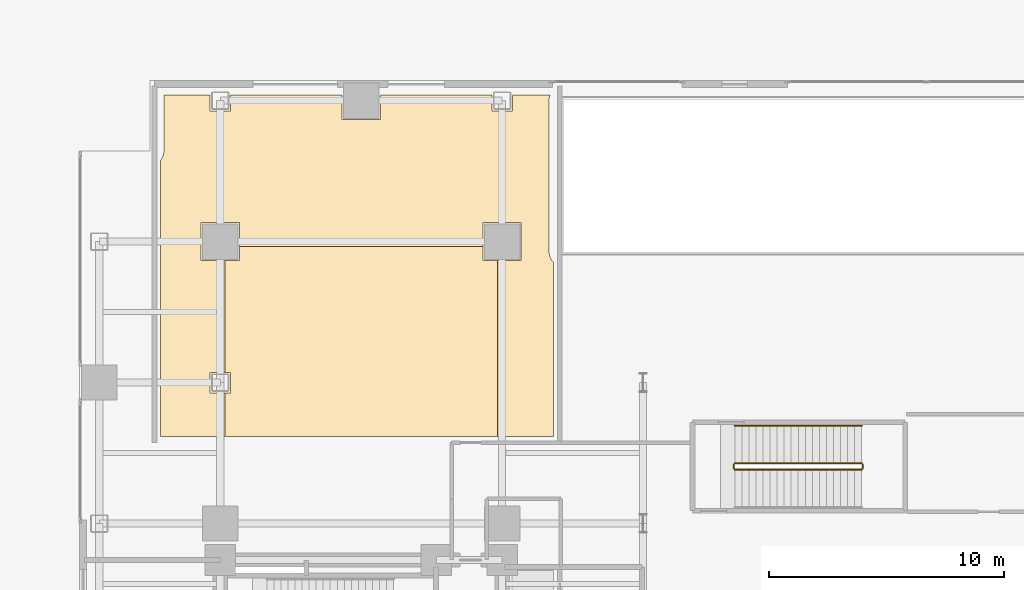
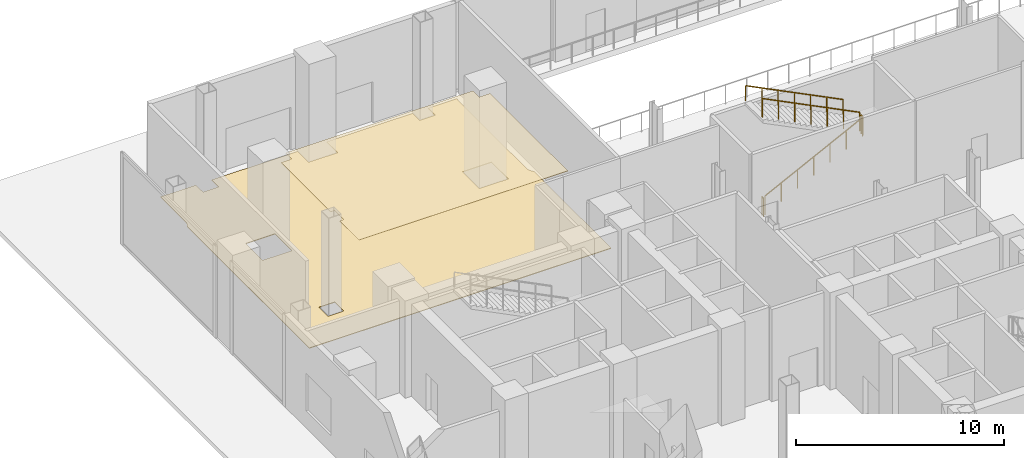
# One storey, part 25 of 27: 5 railings, 2 coverings.
"""IFC4 building model written with IfcOpenShell, lengths in metres."""

from ifc_helpers import new_model, si_unit, direction, frame, origin, origin_2d, place, context, subcontext, project, spatial, polyline, rectangle, outline, extrude, material, layer, layer_set, type_object, element, save


model = new_model("IFC4")

# Units and contexts
model_context = context("Model", 3, precision=1e-05, world=origin(), true_north=direction((0.0, 1.0)))
body_context = subcontext(model_context, "Body", "Model", "MODEL_VIEW")
ifc_project = project(units=[si_unit("LENGTHUNIT", "METRE"), si_unit("AREAUNIT", "SQUARE_METRE"), si_unit("VOLUMEUNIT", "CUBIC_METRE"), si_unit("PLANEANGLEUNIT", "RADIAN"), si_unit("MASSUNIT", "GRAM", prefix="KILO"), si_unit("THERMODYNAMICTEMPERATUREUNIT", "KELVIN"), si_unit("POWERUNIT", "WATT")], contexts=[model_context])

# Site, building, storey
site_placement = place(None, origin())
site = spatial("IfcSite", under=ifc_project, at=site_placement, CompositionType="ELEMENT")
building_placement = place(site_placement, origin())
building = spatial("IfcBuilding", under=site, at=building_placement, Name="Svarakhadi Broadcast Tower", CompositionType="ELEMENT")
storey_placement = place(building_placement, origin())
storey = spatial("IfcBuildingStorey", under=building, at=storey_placement, Name="L00", CompositionType="ELEMENT", Elevation=0.0)

# Coverings
ifc_material_1 = material(Name="Micro-Perforated Mineral Fibre Acoustic Ceiling Tile", Category="mineral_fibre")
ifc_layer_1 = layer(ifc_material_1, 0.02490234375)
ifc_layer_set_1 = layer_set([ifc_layer_1], Name="Micro-Perforated Mineral Fibre Acoustic Ceiling Tile")
covering_type_1 = type_object("IfcCoveringType", Name="Cov_Ceiling_Tile", PredefinedType="CEILING", material=ifc_layer_set_1)
covering_1_placement = place(storey_placement, frame((0.0, 0.0, 5.375)))
element("IfcCovering", 1, at=covering_1_placement, inside=storey, type_object=covering_type_1, Name="L00 Broadcast OB-Van Loading Dock and Airlock Acoustic Ceiling", PredefinedType="CEILING", context=body_context, shape_type="SweptSolid", body=[
    extrude(outline(polyline([(6.2099609375, 32.860107421875), (6.2099609375, 34.715087890625), (6.43505859375, 34.715087890625), (6.43505859375, 35.5849609375), (6.2099609375, 35.5849609375), (6.2099609375, 40.340087890625), (6.81005859375, 40.340087890625), (6.81005859375, 40.93994140625), (17.18994140625, 40.93994140625), (17.18994140625, 40.340087890625), (17.7900390625, 40.340087890625), (17.7900390625, 32.860107421875), (6.2099609375, 32.860107421875)])), origin(), (0.0, 0.0, 1.0), 0.02490234375),
])
ifc_material_2 = material(Name="Honed Konkan Basalt Stone Tile Flooring", Category="masonry")
ifc_layer_2 = layer(ifc_material_2, 0.034912109375)
ifc_layer_set_2 = layer_set([ifc_layer_2], Name="Honed Konkan Basalt Stone Tile Flooring")
covering_type_2 = type_object("IfcCoveringType", Name="Cov_Floor_Basalt", PredefinedType="FLOORING", material=ifc_layer_set_2)
covering_2_placement = place(storey_placement, origin())
element("IfcCovering", 2, at=covering_2_placement, inside=storey, type_object=covering_type_2, Name="L00 Broadcast OB-Van Loading Dock and Airlock Floor Finish", PredefinedType="FLOORING", context=body_context, shape_type="SweptSolid", body=[
    extrude(outline(polyline([(3.4599609375, 44.614990234375), (3.470947265625, 44.6279296875), (3.4951171875, 44.660888671875), (3.5029296875, 44.674072265625), (3.52392578125, 44.708984375), (3.531982421875, 44.722900390625), (3.550048828125, 44.760009765625), (3.556884765625, 44.778076171875), (3.571044921875, 44.81689453125), (3.576904296875, 44.833984375), (3.5869140625, 44.8740234375), (3.590087890625, 44.89208984375), (3.595947265625, 44.93310546875), (3.597900390625, 44.949951171875), (3.60009765625, 44.990966796875), (3.60009765625, 45.0), (3.60009765625, 47.389892578125), (5.56494140625, 47.389892578125), (5.56494140625, 46.715087890625), (6.43505859375, 46.715087890625), (6.43505859375, 47.389892578125), (11.18994140625, 47.389892578125), (11.18994140625, 46.340087890625), (12.81005859375, 46.340087890625), (12.81005859375, 47.389892578125), (17.56494140625, 47.389892578125), (17.56494140625, 46.715087890625), (18.43505859375, 46.715087890625), (18.43505859375, 47.389892578125), (20.031005859375, 47.389892578125), (20.029052734375, 47.383056640625), (20.02294921875, 47.365966796875), (20.012939453125, 47.325927734375), (20.010009765625, 47.30810546875), (20.00390625, 47.26708984375), (20.001953125, 47.25), (20.0, 47.208984375), (20.0, 47.199951171875), (20.0, 40.699951171875), (20.0, 40.69091796875), (20.001953125, 40.64990234375), (20.00390625, 40.633056640625), (20.010009765625, 40.592041015625), (20.012939453125, 40.573974609375), (20.02294921875, 40.533935546875), (20.029052734375, 40.51708984375), (20.04296875, 40.47802734375), (20.050048828125, 40.4599609375), (20.068115234375, 40.423095703125), (20.075927734375, 40.408935546875), (20.096923828125, 40.3740234375), (20.10498046875, 40.361083984375), (20.12890625, 40.327880859375), (20.14111328125, 40.31298828125), (20.1689453125, 40.281982421875), (20.181884765625, 40.26904296875), (20.18994140625, 40.262939453125), (20.18994140625, 32.860107421875), (3.4599609375, 32.860107421875), (3.4599609375, 44.614990234375)]), holes=[polyline([(5.56494140625, 34.715087890625), (6.43505859375, 34.715087890625), (6.43505859375, 35.5849609375), (5.56494140625, 35.5849609375), (5.56494140625, 34.715087890625)]), polyline([(5.18994140625, 40.340087890625), (6.81005859375, 40.340087890625), (6.81005859375, 41.9599609375), (5.18994140625, 41.9599609375), (5.18994140625, 40.340087890625)]), polyline([(17.18994140625, 40.340087890625), (18.81005859375, 40.340087890625), (18.81005859375, 41.9599609375), (17.18994140625, 41.9599609375), (17.18994140625, 40.340087890625)])]), origin(), (0.0, 0.0, 1.0), 0.034912109375),
])

# Railings
ifc_material_3 = material(Name="Anodised Bronze Aluminium AA 6063-T6", Category="aluminium")
railing_type_1 = type_object("IfcRailingType", Name="Guard_Stair_GR01", PredefinedType="GUARDRAIL", material=ifc_material_3)
railing_1_placement = place(storey_placement, frame((27.89990234375, 31.449951171875, 0.14990234375)))
element("IfcRailing", 3, at=railing_1_placement, inside=storey, type_object=railing_type_1, Name="L00 ST-03 stair guard 1", PredefinedType="GUARDRAIL", context=body_context, shape_type="SweptSolid", body=[
    extrude(rectangle(XDim=0.048095703125, YDim=0.048095703125, at=origin_2d()), frame((0.0, 0.0, 1.09619140625), z_axis=(0.894419103516, 0.0, 0.447229770102), x_axis=(0.0, 1.0, 0.0)), (0.0, 0.0, 1.0), 6.03759765625),
    extrude(rectangle(XDim=0.0419921875, YDim=0.0419921875, at=origin_2d()), origin(), (0.0, 0.0, 1.0), 1.072021484375),
    extrude(rectangle(XDim=0.0419921875, YDim=0.0419921875, at=origin_2d()), frame((0.89990234375, 0.0, 0.449951171875)), (0.0, 0.0, 1.0), 1.072021484375),
    extrude(rectangle(XDim=0.0419921875, YDim=0.0419921875, at=origin_2d()), frame((1.800048828125, 0.0, 0.900146484375)), (0.0, 0.0, 1.0), 1.072021484375),
    extrude(rectangle(XDim=0.0419921875, YDim=0.0419921875, at=origin_2d()), frame((2.7001953125, 0.0, 1.35009765625)), (0.0, 0.0, 1.0), 1.072021484375),
    extrude(rectangle(XDim=0.0419921875, YDim=0.0419921875, at=origin_2d()), frame((3.60009765625, 0.0, 1.800048828125)), (0.0, 0.0, 1.0), 1.072021484375),
    extrude(rectangle(XDim=0.0419921875, YDim=0.0419921875, at=origin_2d()), frame((4.5, 0.0, 2.250244140625)), (0.0, 0.0, 1.0), 1.072021484375),
    extrude(rectangle(XDim=0.0419921875, YDim=0.0419921875, at=origin_2d()), frame((5.400146484375, 0.0, 2.7001953125)), (0.0, 0.0, 1.0), 1.072021484375),
])
railing_2_placement = place(storey_placement, frame((33.35009765625, 31.5, 2.85009765625)))
element("IfcRailing", 4, at=railing_2_placement, inside=storey, type_object=railing_type_1, Name="L00 ST-03 stair guard 2", PredefinedType="GUARDRAIL", context=body_context, shape_type="SweptSolid", body=[
    extrude(rectangle(XDim=0.048095703125, YDim=0.048095703125, at=origin_2d()), frame((0.0, 0.0, 1.09619140625), z_axis=(0.0, 1.0, 0.0), x_axis=(-1.0, 0.0, 0.0)), (0.0, 0.0, 1.0), 0.159912109375),
    extrude(rectangle(XDim=0.0419921875, YDim=0.0419921875, at=origin_2d()), origin(), (0.0, 0.0, 1.0), 1.072021484375),
    extrude(rectangle(XDim=0.0419921875, YDim=0.0419921875, at=origin_2d()), frame((0.0, 0.159912109375, 0.0)), (0.0, 0.0, 1.0), 1.072021484375),
])
railing_3_placement = place(storey_placement, frame((33.300048828125, 31.7099609375, 3.0)))
element("IfcRailing", 5, at=railing_3_placement, inside=storey, type_object=railing_type_1, Name="L00 ST-03 stair guard 3", PredefinedType="GUARDRAIL", context=body_context, shape_type="SweptSolid", body=[
    extrude(rectangle(XDim=0.048095703125, YDim=0.048095703125, at=origin_2d()), frame((0.0, 0.0, 1.09619140625), z_axis=(-0.894435278338, 0.0, 0.447197420459), x_axis=(0.0, -1.0, 0.0)), (0.0, 0.0, 1.0), 6.03759765625),
    extrude(rectangle(XDim=0.0419921875, YDim=0.0419921875, at=origin_2d()), origin(), (0.0, 0.0, 1.0), 1.072021484375),
    extrude(rectangle(XDim=0.0419921875, YDim=0.0419921875, at=origin_2d()), frame((-0.89990234375, 0.0, 0.449951171875)), (0.0, 0.0, 1.0), 1.072021484375),
    extrude(rectangle(XDim=0.0419921875, YDim=0.0419921875, at=origin_2d()), frame((-1.800048828125, 0.0, 0.89990234375)), (0.0, 0.0, 1.0), 1.072021484375),
    extrude(rectangle(XDim=0.0419921875, YDim=0.0419921875, at=origin_2d()), frame((-2.7001953125, 0.0, 1.35009765625)), (0.0, 0.0, 1.0), 1.072021484375),
    extrude(rectangle(XDim=0.0419921875, YDim=0.0419921875, at=origin_2d()), frame((-3.60009765625, 0.0, 1.800048828125)), (0.0, 0.0, 1.0), 1.072021484375),
    extrude(rectangle(XDim=0.0419921875, YDim=0.0419921875, at=origin_2d()), frame((-4.5, 0.0, 2.25)), (0.0, 0.0, 1.0), 1.072021484375),
    extrude(rectangle(XDim=0.0419921875, YDim=0.0419921875, at=origin_2d()), frame((-5.400146484375, 0.0, 2.699951171875)), (0.0, 0.0, 1.0), 1.072021484375),
])
railing_4_placement = place(storey_placement, frame((27.85009765625, 31.5, 0.0)))
element("IfcRailing", 6, at=railing_4_placement, inside=storey, type_object=railing_type_1, Name="L00 ST-03 stair guard 4", PredefinedType="GUARDRAIL", context=body_context, shape_type="SweptSolid", body=[
    extrude(rectangle(XDim=0.048095703125, YDim=0.048095703125, at=origin_2d()), frame((0.0, 0.0, 1.09619140625), z_axis=(0.0, 1.0, 0.0), x_axis=(-1.0, 0.0, 0.0)), (0.0, 0.0, 1.0), 0.159912109375),
    extrude(rectangle(XDim=0.0419921875, YDim=0.0419921875, at=origin_2d()), origin(), (0.0, 0.0, 1.0), 1.072021484375),
    extrude(rectangle(XDim=0.0419921875, YDim=0.0419921875, at=origin_2d()), frame((0.0, 0.159912109375, 0.0)), (0.0, 0.0, 1.0), 1.072021484375),
])
railing_type_2 = type_object("IfcRailingType", Name="Handrail_Stair_HR01", PredefinedType="HANDRAIL", material=ifc_material_3)
railing_5_placement = place(storey_placement, frame((33.300048828125, 33.31005859375, 3.0)))
element("IfcRailing", 7, at=railing_5_placement, inside=storey, type_object=railing_type_2, Name="L00 ST-03 stair handrail 2", PredefinedType="HANDRAIL", context=body_context, shape_type="SweptSolid", body=[
    extrude(rectangle(XDim=0.048095703125, YDim=0.048095703125, at=origin_2d()), frame((0.0, 0.0, 0.8759765625), z_axis=(-0.894435278338, 0.0, 0.447197420459), x_axis=(0.0, -1.0, 0.0)), (0.0, 0.0, 1.0), 6.03759765625),
    extrude(rectangle(XDim=0.0419921875, YDim=0.0419921875, at=origin_2d()), origin(), (0.0, 0.0, 1.0), 0.851806640625),
    extrude(rectangle(XDim=0.0419921875, YDim=0.0419921875, at=origin_2d()), frame((-0.89990234375, 0.0, 0.449951171875)), (0.0, 0.0, 1.0), 0.851806640625),
    extrude(rectangle(XDim=0.0419921875, YDim=0.0419921875, at=origin_2d()), frame((-1.800048828125, 0.0, 0.89990234375)), (0.0, 0.0, 1.0), 0.851806640625),
    extrude(rectangle(XDim=0.0419921875, YDim=0.0419921875, at=origin_2d()), frame((-2.7001953125, 0.0, 1.35009765625)), (0.0, 0.0, 1.0), 0.851806640625),
    extrude(rectangle(XDim=0.0419921875, YDim=0.0419921875, at=origin_2d()), frame((-3.60009765625, 0.0, 1.800048828125)), (0.0, 0.0, 1.0), 0.851806640625),
    extrude(rectangle(XDim=0.0419921875, YDim=0.0419921875, at=origin_2d()), frame((-4.5, 0.0, 2.25)), (0.0, 0.0, 1.0), 0.851806640625),
    extrude(rectangle(XDim=0.0419921875, YDim=0.0419921875, at=origin_2d()), frame((-5.400146484375, 0.0, 2.699951171875)), (0.0, 0.0, 1.0), 0.851806640625),
])

save(model, "model.ifc")
